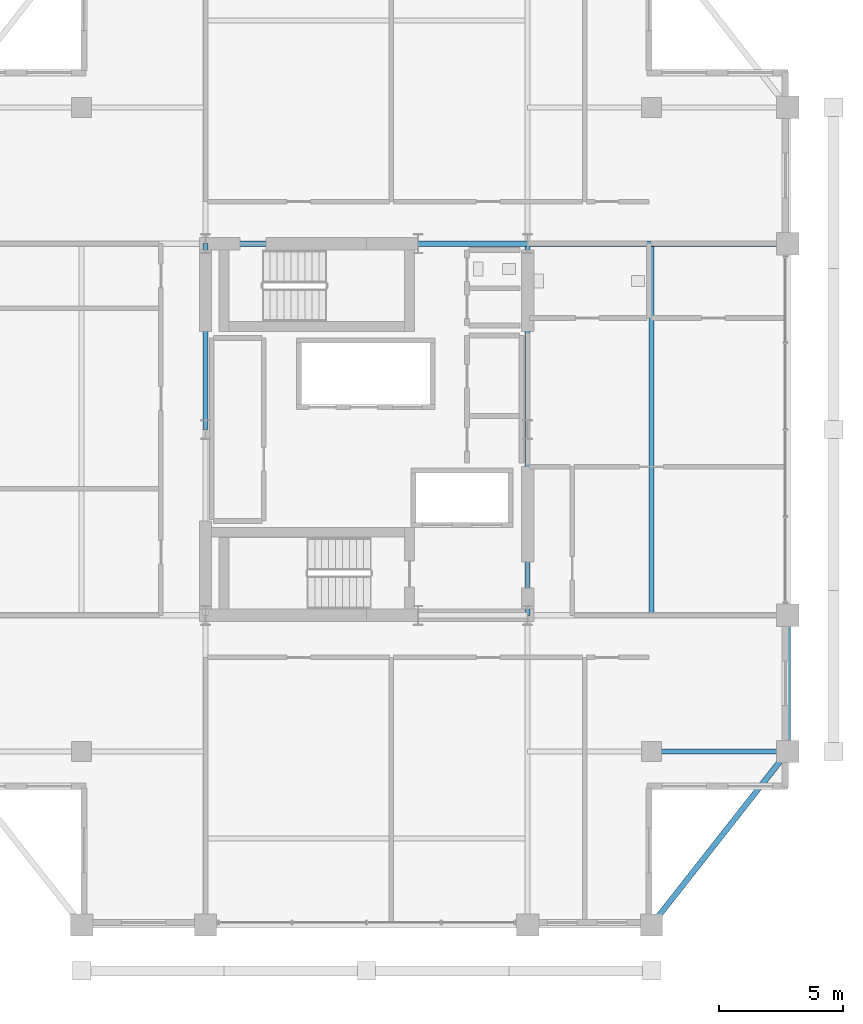
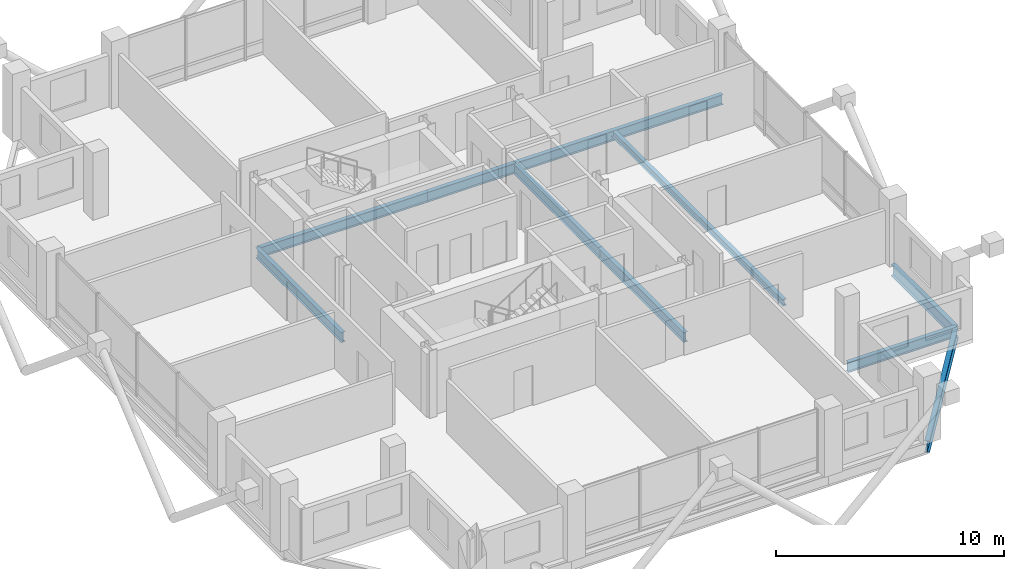
# One storey, part 10 of 22: 10 beams.
"""IFC4 building model written with IfcOpenShell, lengths in metres."""

from ifc_helpers import new_model, si_unit, direction, frame, origin, origin_2d, place, context, subcontext, project, spatial, i_section, extrude, material, material_profile, profile_set, type_object, element, save


model = new_model("IFC4")

# Units and contexts
model_context = context("Model", 3, precision=1e-05, world=origin(), true_north=direction((0.0, 1.0)))
body_context = subcontext(model_context, "Body", "Model", "MODEL_VIEW")
ifc_project = project(units=[si_unit("LENGTHUNIT", "METRE"), si_unit("AREAUNIT", "SQUARE_METRE"), si_unit("VOLUMEUNIT", "CUBIC_METRE"), si_unit("PLANEANGLEUNIT", "RADIAN"), si_unit("MASSUNIT", "GRAM", prefix="KILO")], contexts=[model_context])

# Site, building, storey
site_placement = place(None, origin())
site = spatial("IfcSite", under=ifc_project, at=site_placement, CompositionType="ELEMENT")
building_placement = place(site_placement, origin())
building = spatial("IfcBuilding", under=site, at=building_placement, Name="Barlavira Tower and Art Museum", CompositionType="ELEMENT")
storey_placement = place(building_placement, frame((0.0, 0.0, 269.10009765625)))
storey = spatial("IfcBuildingStorey", under=building, at=storey_placement, Name="L70", CompositionType="ELEMENT", Elevation=269.10009765625)

# Beams
ifc_material = material(Name="Steel S355", Category="steel")
ifc_material_profile_1 = material_profile(ifc_material, i_section(OverallWidth=0.22998046875, OverallDepth=0.616943359375, WebThickness=0.01318359375, FlangeThickness=0.022216796875, at=origin_2d()), Name="W610x140.0")
ifc_profile_set_1 = profile_set([ifc_material_profile_1], Name="Steel S355")
beam_type_1 = type_object("IfcBeamType", Name="Upper Shaft Spandrel Edge Beam W610x140 Steel S355", PredefinedType="SPANDREL", material=ifc_profile_set_1)
beam_1_placement = place(storey_placement, frame((11.5, -20.0, -0.528564453125), z_axis=(0.617821551932, 0.786318338822, 0.0), x_axis=(-0.786318338822, 0.617821551932, 0.0)))
element("IfcBeam", 1, at=beam_1_placement, inside=storey, type_object=beam_type_1, Name="L70 Spandrel 4", PredefinedType="SPANDREL", context=body_context, shape_type="SweptSolid", body=[
    extrude(i_section(OverallWidth=0.22998046875, OverallDepth=0.616943359375, WebThickness=0.01318359375, FlangeThickness=0.022216796875, at=origin_2d()), origin(), (0.0, 0.0, 1.0), 8.90234375),
])
beam_2_placement = place(storey_placement, frame((17.0, -13.0, -0.528564453125), z_axis=(0.0, 1.0, 0.0), x_axis=(-1.0, 0.0, 0.0)))
element("IfcBeam", 2, at=beam_2_placement, inside=storey, type_object=beam_type_1, Name="L70 Spandrel 5", PredefinedType="SPANDREL", context=body_context, shape_type="SweptSolid", body=[
    extrude(i_section(OverallWidth=0.22998046875, OverallDepth=0.616943359375, WebThickness=0.01318359375, FlangeThickness=0.022216796875, at=origin_2d()), origin(), (0.0, 0.0, 1.0), 5.5),
])
ifc_material_profile_2 = material_profile(ifc_material, i_section(OverallWidth=0.2109375, OverallDepth=0.5390625, WebThickness=0.01171875, FlangeThickness=0.018798828125, at=origin_2d()), Name="W530x109.0")
ifc_profile_set_2 = profile_set([ifc_material_profile_2], Name="Steel S355")
beam_type_2 = type_object("IfcBeamType", Name="Zone 3-4 Primary Floor Girder W530x109 Steel S355", PredefinedType="BEAM", material=ifc_profile_set_2)
beam_3_placement = place(storey_placement, frame((-6.5, 7.5, -0.489501953125), z_axis=(1.0, 0.0, 0.0), x_axis=(0.0, 1.0, 0.0)))
element("IfcBeam", 3, at=beam_3_placement, inside=storey, type_object=beam_type_2, Name="L70 Girder C-N1", PredefinedType="BEAM", context=body_context, shape_type="SweptSolid", body=[
    extrude(i_section(OverallWidth=0.2109375, OverallDepth=0.5390625, WebThickness=0.01171875, FlangeThickness=0.018798828125, at=origin_2d()), origin(), (0.0, 0.0, 1.0), 8.580078125),
])
beam_4_placement = place(storey_placement, frame((2.080078125, 7.5, -0.489501953125), z_axis=(1.0, 0.0, 0.0), x_axis=(0.0, 1.0, 0.0)))
element("IfcBeam", 4, at=beam_4_placement, inside=storey, type_object=beam_type_2, Name="L70 Girder C-N2", PredefinedType="BEAM", context=body_context, shape_type="SweptSolid", body=[
    extrude(i_section(OverallWidth=0.2109375, OverallDepth=0.5390625, WebThickness=0.01171875, FlangeThickness=0.018798828125, at=origin_2d()), origin(), (0.0, 0.0, 1.0), 4.419921875),
])
for number, where, z_axis, x_axis, name in (
    (5, (-6.5, 0.0, -0.489501953125), (0.0, 1.0, 0.0), (-1.0, 0.0, 0.0), "L70 Girder C-W2"),
    (6, (6.5, -7.5, -0.489501953125), (0.0, 1.0, 0.0), (-1.0, 0.0, 0.0), "L70 Girder C-E1"),
    (7, (6.5, 0.0, -0.489501953125), (0.0, 1.0, 0.0), (-1.0, 0.0, 0.0), "L70 Girder C-E2"),
):
    element("IfcBeam", number, at=place(storey_placement, frame(where, z_axis=z_axis, x_axis=x_axis)), inside=storey, type_object=beam_type_2, Name=name, PredefinedType="BEAM", context=body_context, shape_type="SweptSolid", body=[
        extrude(i_section(OverallWidth=0.2109375, OverallDepth=0.5390625, WebThickness=0.01171875, FlangeThickness=0.018798828125, at=origin_2d()), origin(), (0.0, 0.0, 1.0), 7.5),
    ])
beam_5_placement = place(storey_placement, frame((6.5, 7.5, -0.489501953125), z_axis=(1.0, 0.0, 0.0), x_axis=(0.0, 1.0, 0.0)))
element("IfcBeam", 8, at=beam_5_placement, inside=storey, type_object=beam_type_2, Name="L70 Girder R-E2", PredefinedType="BEAM", context=body_context, shape_type="SweptSolid", body=[
    extrude(i_section(OverallWidth=0.2109375, OverallDepth=0.5390625, WebThickness=0.01171875, FlangeThickness=0.018798828125, at=origin_2d()), origin(), (0.0, 0.0, 1.0), 10.5),
])
beam_6_placement = place(storey_placement, frame((11.5, -13.0, -0.489501953125), z_axis=(1.0, 0.0, 0.0), x_axis=(0.0, 1.0, 0.0)))
element("IfcBeam", 9, at=beam_6_placement, inside=storey, type_object=beam_type_2, Name="L70 Girder I-S4", PredefinedType="BEAM", context=body_context, shape_type="SweptSolid", body=[
    extrude(i_section(OverallWidth=0.2109375, OverallDepth=0.5390625, WebThickness=0.01171875, FlangeThickness=0.018798828125, at=origin_2d()), origin(), (0.0, 0.0, 1.0), 5.5),
])
ifc_material_profile_3 = material_profile(ifc_material, i_section(OverallWidth=0.202880859375, OverallDepth=0.346923828125, WebThickness=0.0078125, FlangeThickness=0.013427734375, at=origin_2d()), Name="W360x64.0")
ifc_profile_set_3 = profile_set([ifc_material_profile_3], Name="Steel S355")
beam_type_3 = type_object("IfcBeamType", Name="Zone 4 Composite Floor Joist W360x64 Steel S355", PredefinedType="JOIST", material=ifc_profile_set_3)
beam_7_placement = place(storey_placement, frame((11.5, -7.5, -0.3935546875), z_axis=(0.0, 1.0, 0.0), x_axis=(-1.0, 0.0, 0.0)))
element("IfcBeam", 10, at=beam_7_placement, inside=storey, type_object=beam_type_3, Name="L70 Joist W2", PredefinedType="JOIST", context=body_context, shape_type="SweptSolid", body=[
    extrude(i_section(OverallWidth=0.202880859375, OverallDepth=0.346923828125, WebThickness=0.0078125, FlangeThickness=0.013427734375, at=origin_2d()), origin(), (0.0, 0.0, 1.0), 15.0),
])

save(model, "model.ifc")
